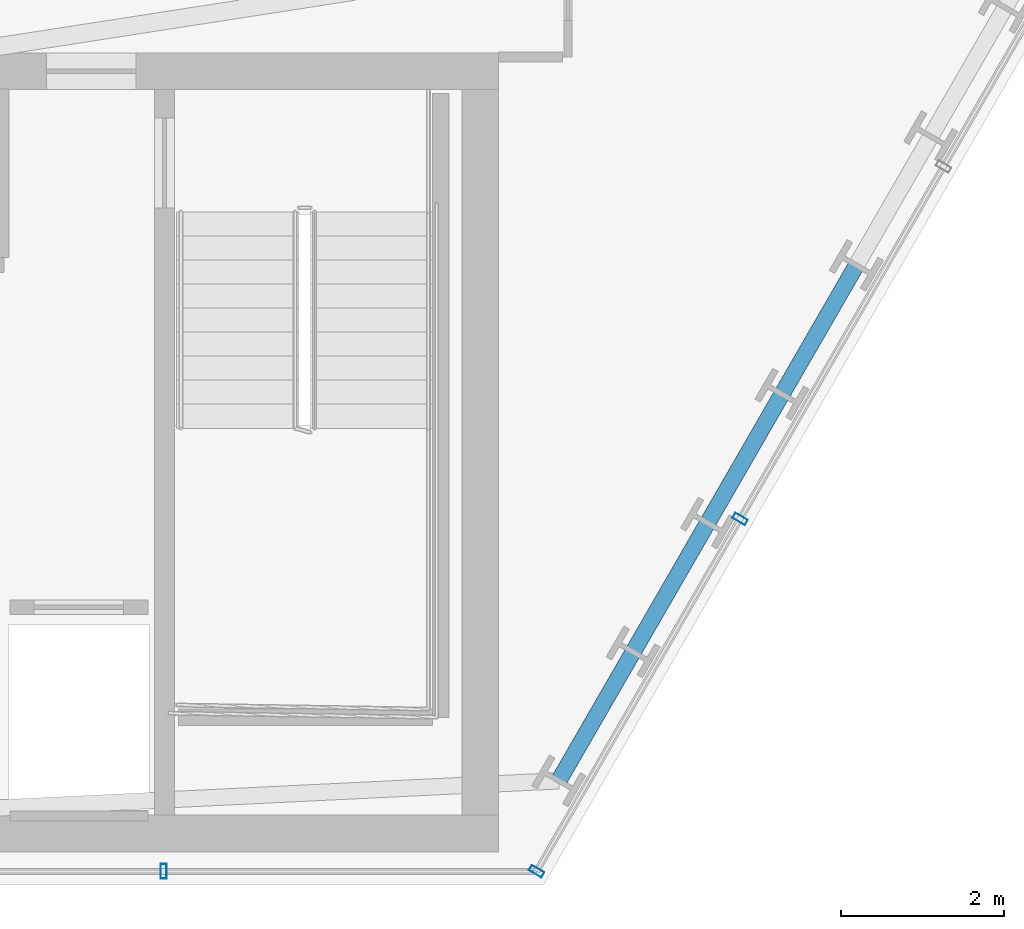
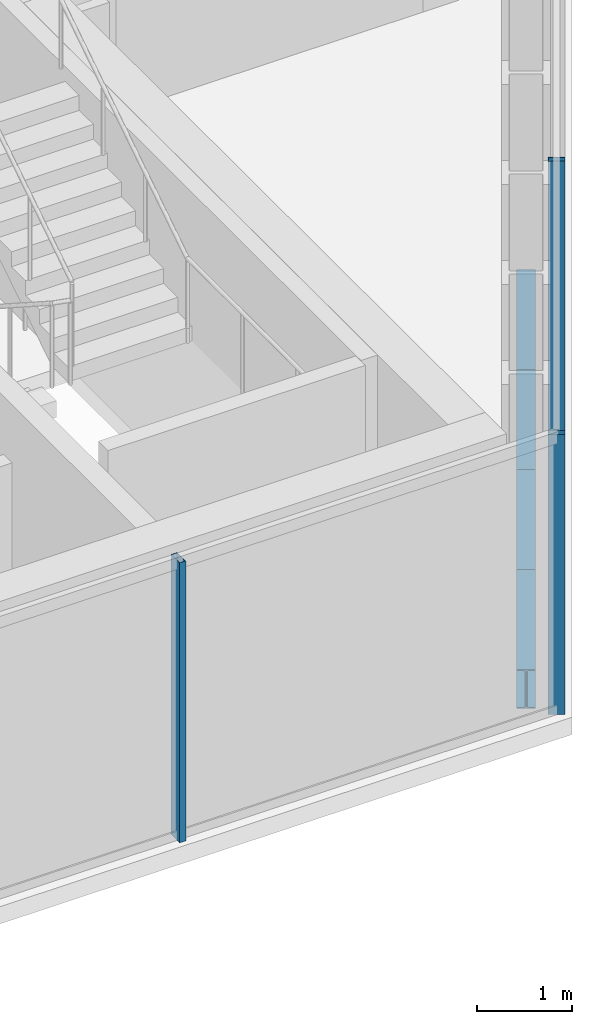
# One storey, part 16 of 32: 4 beams, 3 members, 2 elements without a shape of their own.
"""IFC4 building model written with IfcOpenShell, lengths in metres."""

from ifc_helpers import new_model, si_unit, direction, frame, origin, origin_2d, place, context, subcontext, project, spatial, hollow_rectangle, i_section, extrude, material, layer, layer_set, material_profile, profile_set, type_object, element, aggregate, save


model = new_model("IFC4")

# Units and contexts
model_context = context("Model", 3, precision=1e-05, world=origin(), true_north=direction((0.0, 1.0)))
body_context = subcontext(model_context, "Body", "Model", "MODEL_VIEW")
ifc_project = project(units=[si_unit("LENGTHUNIT", "METRE"), si_unit("AREAUNIT", "SQUARE_METRE"), si_unit("VOLUMEUNIT", "CUBIC_METRE"), si_unit("PLANEANGLEUNIT", "RADIAN"), si_unit("MASSUNIT", "GRAM", prefix="KILO")], contexts=[model_context])

# Site, building, storey
site_placement = place(None, origin())
site = spatial("IfcSite", under=ifc_project, at=site_placement, CompositionType="ELEMENT")
building_placement = place(site_placement, origin())
building = spatial("IfcBuilding", under=site, at=building_placement, Name="Ndaravel Arena Tower", CompositionType="ELEMENT")
storey_placement = place(building_placement, frame((0.0, 0.0, 74.0)))
storey = spatial("IfcBuildingStorey", under=building, at=storey_placement, Name="L16", CompositionType="ELEMENT", Elevation=74.0)

# Beams
ifc_material_1 = material(Name="Steel S355", Category="steel")
ifc_material_profile_1 = material_profile(ifc_material_1, i_section(OverallWidth=0.199951171875, OverallDepth=0.5, WebThickness=0.01025390625, FlangeThickness=0.01611328125, FilletRadius=0.02099609375, at=origin_2d()), Name="IPE 500")
ifc_profile_set_1 = profile_set([ifc_material_profile_1], Name="Steel S355")
beam_type = type_object("IfcBeamType", Name="BM-SPAN-IPE500", PredefinedType="SPANDREL", material=ifc_profile_set_1)
for number, where, z_axis, x_axis, name in (
    (1, (58.28662109375, 6.2705078125, -0.469970703125), (0.499965592563, 0.866045268016, 0.0), (-0.866045268016, 0.499965592563, 0.0), "L16 Perimeter Spandrel Beam SP-02"),
    (2, (59.19921875, 7.851318359375, -0.469970703125), (0.499965592563, 0.866045268016, 0.0), (-0.866045268016, 0.499965592563, 0.0), "L16 Perimeter Spandrel Beam SP-03"),
):
    element("IfcBeam", number, at=place(storey_placement, frame(where, z_axis=z_axis, x_axis=x_axis)), inside=storey, type_object=beam_type, Name=name, PredefinedType="SPANDREL", context=body_context, shape_type="SweptSolid", body=[
        extrude(i_section(OverallWidth=0.199951171875, OverallDepth=0.5, WebThickness=0.01025390625, FlangeThickness=0.01611328125, FilletRadius=0.02099609375, at=origin_2d()), origin(), (0.0, 0.0, 1.0), 1.825439453125),
    ])
beam_1_placement = place(storey_placement, frame((60.11181640625, 9.43212890625, -0.469970703125), z_axis=(0.500007989214, 0.866020791161, 0.0), x_axis=(-0.866020791161, 0.500007989214, 0.0)))
element("IfcBeam", 3, at=beam_1_placement, inside=storey, type_object=beam_type, Name="L16 Perimeter Spandrel Beam SP-04", PredefinedType="SPANDREL", context=body_context, shape_type="SweptSolid", body=[
    extrude(i_section(OverallWidth=0.199951171875, OverallDepth=0.5, WebThickness=0.01025390625, FlangeThickness=0.01611328125, FilletRadius=0.02099609375, at=origin_2d()), origin(), (0.0, 0.0, 1.0), 1.82568359375),
])
beam_2_placement = place(storey_placement, frame((61.024658203125, 11.01318359375, -0.469970703125), z_axis=(0.500065901226, 0.86598735235, 0.0), x_axis=(-0.86598735235, 0.500065901226, 0.0)))
element("IfcBeam", 4, at=beam_2_placement, inside=storey, type_object=beam_type, Name="L16 Perimeter Spandrel Beam SP-05", PredefinedType="SPANDREL", context=body_context, shape_type="SweptSolid", body=[
    extrude(i_section(OverallWidth=0.199951171875, OverallDepth=0.5, WebThickness=0.01025390625, FlangeThickness=0.01611328125, FilletRadius=0.02099609375, at=origin_2d()), origin(), (0.0, 0.0, 1.0), 1.825439453125),
])

# Curtain wall, member
ifc_material_2 = material(Name="Aluminium", Category="aluminium")
ifc_layer_1 = layer(ifc_material_2, 0.179931640625)
ifc_layer_set_1 = layer_set([ifc_layer_1], Name="Aluminium")
curtain_wall_type_1 = type_object("IfcCurtainWallType", Name="CW-SYS-03", PredefinedType="NOTDEFINED", material=ifc_layer_set_1)
curtain_wall_1_placement = place(storey_placement, origin())
curtain_wall_1 = element("IfcCurtainWall", 5, at=curtain_wall_1_placement, inside=storey, type_object=curtain_wall_type_1, Name="L16 Faceted Crystal Curtain Wall CW-L16-E01", PredefinedType="NOTDEFINED")
ifc_material_3 = material(Name="Aluminium", Category="aluminium")
ifc_material_profile_2 = material_profile(ifc_material_3, hollow_rectangle(XDim=0.074951171875, YDim=0.179931640625, WallThickness=0.00390625, at=origin_2d()), Name="CW MULLION 75x180x4")
ifc_profile_set_2 = profile_set([ifc_material_profile_2], Name="Aluminium")
member_type = type_object("IfcMemberType", Name="MEM-CW-MUL180", PredefinedType="MULLION", material=ifc_profile_set_2)
member_1_placement = place(storey_placement, frame((53.439208984375, 5.159912109375, 0.0), z_axis=(0.0, 0.0, 1.0), x_axis=(1.0, 0.0, 0.0)))
member_1 = element("IfcMember", 6, at=member_1_placement, type_object=member_type, Name="CW-L16-E01 Mullion 06", PredefinedType="MULLION", context=body_context, shape_type="SweptSolid", body=[
    extrude(hollow_rectangle(XDim=0.074951171875, YDim=0.179931640625, WallThickness=0.00390625, at=origin_2d()), origin(), (0.0, 0.0, 1.0), 3.580078125),
])
aggregate(curtain_wall_1, [member_1])

# Curtain wall, members
ifc_material_4 = material(Name="Aluminium", Category="aluminium")
ifc_layer_2 = layer(ifc_material_4, 0.179931640625)
ifc_layer_set_2 = layer_set([ifc_layer_2], Name="Aluminium")
curtain_wall_type_2 = type_object("IfcCurtainWallType", Name="CW-SYS-01", PredefinedType="NOTDEFINED", material=ifc_layer_set_2)
curtain_wall_2_placement = place(storey_placement, origin())
curtain_wall_2 = element("IfcCurtainWall", 7, at=curtain_wall_2_placement, inside=storey, type_object=curtain_wall_type_2, Name="L16 Faceted Crystal Curtain Wall CW-L16-E02", PredefinedType="NOTDEFINED")
member_2_placement = place(storey_placement, frame((58.014892578125, 5.159912109375, 0.0), z_axis=(0.0, 0.0, 1.0), x_axis=(0.5, 0.866025403784, 0.0)))
member_2 = element("IfcMember", 8, at=member_2_placement, type_object=member_type, Name="CW-L16-E02 Mullion 00", PredefinedType="MULLION", context=body_context, shape_type="SweptSolid", body=[
    extrude(hollow_rectangle(XDim=0.074951171875, YDim=0.179931640625, WallThickness=0.00390625, at=origin_2d()), origin(), (0.0, 0.0, 1.0), 3.580078125),
])
member_3_placement = place(storey_placement, frame((60.51025390625, 9.482421875, 0.0), z_axis=(0.0, 0.0, 1.0), x_axis=(0.5, 0.866025403784, 0.0)))
member_3 = element("IfcMember", 9, at=member_3_placement, type_object=member_type, Name="CW-L16-E02 Mullion 01", PredefinedType="MULLION", context=body_context, shape_type="SweptSolid", body=[
    extrude(hollow_rectangle(XDim=0.074951171875, YDim=0.179931640625, WallThickness=0.00390625, at=origin_2d()), origin(), (0.0, 0.0, 1.0), 3.580078125),
])
aggregate(curtain_wall_2, [member_2, member_3])

save(model, "model.ifc")
